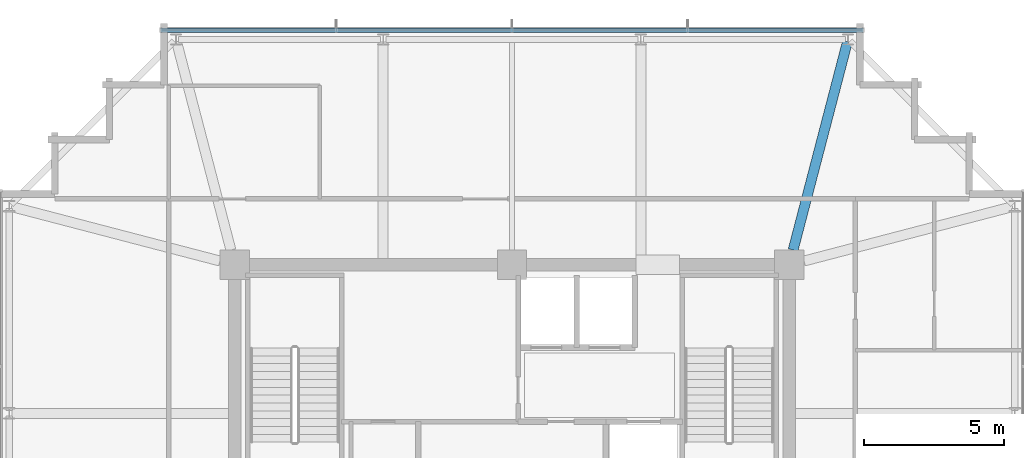
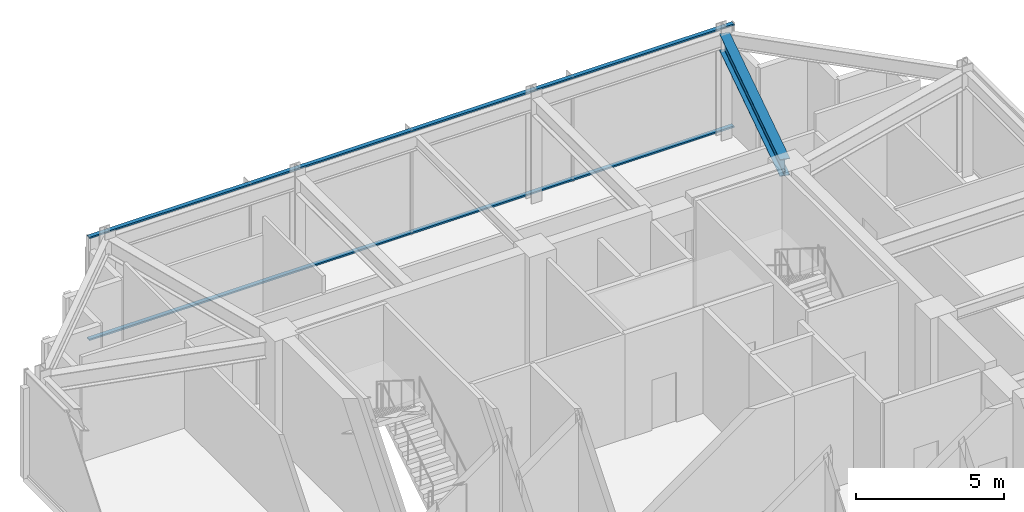
# One storey, part 18 of 30: 2 members, 1 beam, 1 element without a shape of its own.
"""IFC4 building model written with IfcOpenShell, lengths in metres."""

import ifcopenshell
import ifcopenshell.guid

model = None  # the IFC model being written
_history = None  # IfcOwnerHistory: only IFC2X3 demands one
_inside = {}  # id of a spatial element -> (the spatial element, [elements in it])
_under = {}  # id of a project, library or spatial element -> (it, [spatial elements below it])
_declared = {}  # id of a project -> (the project, [libraries it declares])
_typed = {}  # id of a type object -> (the type object, [elements of that type])
_made_of = {}  # id of a material, layer set ... -> (it, [elements and type objects made of it])


def new_model(schema):
    """Start an empty IFC model of exactly this schema.

    Asked for "IFC4X3", IfcOpenShell would pick the latest addendum, in which some entities
    have other attributes; the version numbers below select the first issue.
    IFC2X3 requires an IfcOwnerHistory on every rooted entity: one is made here for all.
    """
    global model, _history
    if schema == "IFC4X3":
        model = ifcopenshell.file(schema_version=(4, 3, 0, 0))
    else:
        model = ifcopenshell.file(schema=schema)
    _inside.clear()
    _under.clear()
    _declared.clear()
    _typed.clear()
    _made_of.clear()
    _history = None
    if model.schema == "IFC2X3":
        org = make("IfcOrganization", Name="unknown")
        user = make(
            "IfcPersonAndOrganization",
            ThePerson=make("IfcPerson", FamilyName="unknown"),
            TheOrganization=org,
        )
        app = make(
            "IfcApplication",
            ApplicationDeveloper=org,
            Version="unknown",
            ApplicationFullName="unknown",
            ApplicationIdentifier="unknown",
        )
        _history = make(
            "IfcOwnerHistory",
            OwningUser=user,
            OwningApplication=app,
            ChangeAction="ADDED",
            CreationDate=0,
        )
    return model


def make(cls, **values):
    """One entity of the class cls with the attributes given. An attribute that is None is left unset."""
    return model.create_entity(
        cls, **{name: value for name, value in values.items() if value is not None}
    )


def rooted(cls, **values):
    """An entity with a GlobalId (a new one), such as an element, a storey or a relation."""
    return make(cls, GlobalId=ifcopenshell.guid.new(), OwnerHistory=_history, **values)


def si_unit(unit_type, name, prefix=None):
    """IfcSIUnit, for example si_unit("LENGTHUNIT", "METRE", prefix="MILLI")."""
    return make("IfcSIUnit", UnitType=unit_type, Prefix=prefix, Name=name)


def assignment(units):
    """IfcUnitAssignment: the units of a project."""
    return None if units is None else make("IfcUnitAssignment", Units=units)


def point(xyz):
    """IfcCartesianPoint."""
    return None if xyz is None else make("IfcCartesianPoint", Coordinates=xyz)


def direction(xyz):
    """IfcDirection."""
    return None if xyz is None else make("IfcDirection", DirectionRatios=xyz)


def frame(location, z_axis=None, x_axis=None):
    """IfcAxis2Placement3D, a coordinate frame: its origin and axes. An axis left out is left unset."""
    return make(
        "IfcAxis2Placement3D",
        Location=point(location),
        Axis=direction(z_axis),
        RefDirection=direction(x_axis),
    )


def frame_2d(location, x_axis=None):
    """IfcAxis2Placement2D, a coordinate frame in the plane: its origin and x axis."""
    return make(
        "IfcAxis2Placement2D", Location=point(location), RefDirection=direction(x_axis)
    )


def origin():
    """The frame at (0, 0, 0) with its axes left unset."""
    return frame((0.0, 0.0, 0.0))


def origin_2d():
    """The frame at (0, 0) in the plane with its x axis left unset."""
    return frame_2d((0.0, 0.0))


def place(relative_to, where):
    """IfcLocalPlacement: puts the frame where relative to a parent placement (None: the world)."""
    return make(
        "IfcLocalPlacement", PlacementRelTo=relative_to, RelativePlacement=where
    )


def context(
    kind, dimensions, precision=None, world=None, true_north=None, identifier=None
):
    """IfcGeometricRepresentationContext, for example the 3D "Model" context."""
    return make(
        "IfcGeometricRepresentationContext",
        ContextIdentifier=identifier,
        ContextType=kind,
        CoordinateSpaceDimension=dimensions,
        Precision=precision,
        WorldCoordinateSystem=world,
        TrueNorth=true_north,
    )


def subcontext(parent, identifier, kind, view, scale=None):
    """IfcGeometricRepresentationSubContext, for example "Body" below "Model"."""
    return make(
        "IfcGeometricRepresentationSubContext",
        ContextIdentifier=identifier,
        ContextType=kind,
        ParentContext=parent,
        TargetScale=scale,
        TargetView=view,
    )


def project(units=None, contexts=None):
    """IfcProject with its units and contexts."""
    return rooted(
        "IfcProject",
        Name="project",
        RepresentationContexts=contexts,
        UnitsInContext=assignment(units),
    )


def spatial(cls, under=None, at=None, **own):
    """A site, building, storey or space (cls), placed at a placement, below another one or the project."""
    s = rooted(cls, ObjectPlacement=at, **own)
    if under is not None:
        _under.setdefault(under.id(), (under, []))[1].append(s)
    return s


def profile(cls, at=None, kind="AREA", **sizes):
    """A parametric profile (cls). Its sizes go by their IFC names, for example OverallWidth=200.0."""
    return make(cls, ProfileType=kind, Position=at, **sizes)


def hollow_rectangle(**sizes):
    """IfcRectangleHollowProfileDef."""
    return profile("IfcRectangleHollowProfileDef", **sizes)


def i_section(**sizes):
    """IfcIShapeProfileDef."""
    return profile("IfcIShapeProfileDef", **sizes)


def extrude(swept, where, along, depth):
    """IfcExtrudedAreaSolid: the profile swept, set in the frame where, extruded along a direction by depth."""
    return make(
        "IfcExtrudedAreaSolid",
        SweptArea=swept,
        Position=where,
        ExtrudedDirection=direction(along),
        Depth=depth,
    )


def shape(context_of_items, identifier, shape_type, items):
    """IfcShapeRepresentation: the items that make up one representation, for example the "Body"."""
    return make(
        "IfcShapeRepresentation",
        ContextOfItems=context_of_items,
        RepresentationIdentifier=identifier,
        RepresentationType=shape_type,
        Items=items,
    )


def material(Name=None, Category=None):
    """IfcMaterial."""
    return make("IfcMaterial", Name=Name, Category=Category)


def material_profile(
    of_material, cross_section, Name=None, Category=None, Priority=None
):
    """IfcMaterialProfile: a cross section and its material."""
    return make(
        "IfcMaterialProfile",
        Name=Name,
        Material=of_material,
        Profile=cross_section,
        Priority=Priority,
        Category=Category,
    )


def profile_set(profiles, Name=None, composite=None):
    """IfcMaterialProfileSet."""
    return make(
        "IfcMaterialProfileSet",
        Name=Name,
        MaterialProfiles=profiles,
        CompositeProfile=composite,
    )


def made_of(thing, what):
    """Note that an element or type object is made of a material, layer set ...; save() writes the relation."""
    if what is not None:
        _made_of.setdefault(what.id(), (what, []))[1].append(thing)
    return thing


def type_object(cls, material=None, **own):
    """A type object (cls), such as IfcWallType, which elements share."""
    return made_of(rooted(cls, **own), material)


def element(
    cls,
    number,
    at=None,
    inside=None,
    cuts=None,
    type_object=None,
    material=None,
    context=None,
    identifier="Body",
    shape_type=None,
    held_by="IfcProductDefinitionShape",
    body=None,
    shapes=None,
    **own,
):
    """One element of the class cls, such as IfcWall. Its Tag is "e" and its number.

    at: its placement. inside: the storey or other place that contains it. cuts: it is an
    opening in that element (IfcRelVoidsElement). A single representation is given by context,
    identifier, shape_type and body (its items); several are given by shapes. held_by: the class
    of the entity that holds the representations. save() writes the other relations.
    """
    e = rooted(cls, Tag="e%d" % number, ObjectPlacement=at, **own)
    if body is not None:
        shapes = [shape(context, identifier, shape_type, body)]
    if shapes is not None:
        e.Representation = make(held_by, Representations=shapes)
    if inside is not None:
        _inside.setdefault(inside.id(), (inside, []))[1].append(e)
    if cuts is not None:
        rooted(
            "IfcRelVoidsElement", RelatingBuildingElement=cuts, RelatedOpeningElement=e
        )
    if type_object is not None:
        _typed.setdefault(type_object.id(), (type_object, []))[1].append(e)
    return made_of(e, material)


def aggregate(whole, parts):
    """IfcRelAggregates: a whole, such as a stair, and the parts it consists of."""
    return rooted("IfcRelAggregates", RelatingObject=whole, RelatedObjects=parts)


def save(model, path):
    """Write the relations noted so far, then the file.

    IfcRelAggregates (storeys below a building ...), IfcRelContainedInSpatialStructure (elements
    in a storey), IfcRelDefinesByType, IfcRelAssociatesMaterial and IfcRelDeclares: one each for
    every whole, place, type object, material and project.
    """
    for whole, parts in _under.values():
        aggregate(whole, parts)
    for where, things in _inside.values():
        rooted(
            "IfcRelContainedInSpatialStructure",
            RelatedElements=things,
            RelatingStructure=where,
        )
    for kind, things in _typed.values():
        rooted("IfcRelDefinesByType", RelatedObjects=things, RelatingType=kind)
    for what, things in _made_of.values():
        rooted("IfcRelAssociatesMaterial", RelatedObjects=things, RelatingMaterial=what)
    for by, libraries in _declared.values():
        rooted("IfcRelDeclares", RelatingContext=by, RelatedDefinitions=libraries)
    model.write(path)


model = new_model("IFC4")

# Units and contexts
model_context = context("Model", 3, precision=1e-05, world=origin(), true_north=direction((0.0, 1.0)))
body_context = subcontext(model_context, "Body", "Model", "MODEL_VIEW")
ifc_project = project(units=[si_unit("LENGTHUNIT", "METRE"), si_unit("AREAUNIT", "SQUARE_METRE"), si_unit("VOLUMEUNIT", "CUBIC_METRE"), si_unit("PLANEANGLEUNIT", "RADIAN"), si_unit("MASSUNIT", "GRAM", prefix="KILO")], contexts=[model_context])

# Site, building, storey
site_placement = place(None, origin())
site = spatial("IfcSite", under=ifc_project, at=site_placement, CompositionType="ELEMENT")
building_placement = place(site_placement, origin())
building = spatial("IfcBuilding", under=site, at=building_placement, Name="Kolvaren Belvedere", CompositionType="ELEMENT")
storey_placement = place(building_placement, frame((0.0, 0.0, 262.800048828125)))
storey = spatial("IfcBuildingStorey", under=building, at=storey_placement, Name="L76", CompositionType="ELEMENT", Elevation=262.800048828125)

# Beam
ifc_material_1 = material(Name="Structural steel ASTM A992 Grade 50", Category="steel")
ifc_material_profile_1 = material_profile(ifc_material_1, i_section(OverallWidth=0.35498046875, OverallDepth=0.696044921875, WebThickness=0.015380859375, FlangeThickness=0.02490234375, FilletRadius=0.02197265625, at=origin_2d()), Name="W27X146")
ifc_profile_set_1 = profile_set([ifc_material_profile_1], Name="Structural steel ASTM A992 Grade 50")
beam_type = type_object("IfcBeamType", Name="BM-GIRD-W27X146", PredefinedType="BEAM", material=ifc_profile_set_1)
beam_placement = place(storey_placement, frame((10.038818359375, 10.43212890625, 3.971923828125), z_axis=(0.252430946281, 0.967614911708, 0.0), x_axis=(-0.967614911708, 0.252430946281, 0.0)))
element("IfcBeam", 1, at=beam_placement, inside=storey, type_object=beam_type, Name="L76 Corner Core-to-Perimeter Girder CC3-N4", PredefinedType="BEAM", context=body_context, shape_type="SweptSolid", body=[
    extrude(i_section(OverallWidth=0.35498046875, OverallDepth=0.696044921875, WebThickness=0.015380859375, FlangeThickness=0.02490234375, FilletRadius=0.02197265625, at=origin_2d()), origin(), (0.0, 0.0, 1.0), 7.68798828125),
])

# Curtain wall, members
ifc_material_2 = material(Name="Anodised pale-metal aluminium AA 6063-T6", Category="aluminium")
curtain_wall_type = type_object("IfcCurtainWallType", Name="CW-CRN-OBS", PredefinedType="NOTDEFINED", material=ifc_material_2)
curtain_wall_placement = place(storey_placement, origin())
curtain_wall = element("IfcCurtainWall", 2, at=curtain_wall_placement, inside=storey, type_object=curtain_wall_type, Name="L76 Unitised Curtain Wall FCW-L76-N", PredefinedType="NOTDEFINED")
ifc_material_3 = material(Name="Anodised pale-metal aluminium AA 6063-T6", Category="aluminium")
ifc_material_profile_2 = material_profile(ifc_material_3, hollow_rectangle(XDim=0.06494140625, YDim=0.159912109375, WallThickness=0.00390625, at=origin_2d()), Name="ALU-TRN-160X65")
ifc_profile_set_2 = profile_set([ifc_material_profile_2], Name="Anodised pale-metal aluminium AA 6063-T6")
member_type = type_object("IfcMemberType", Name="CW-TRN-160", PredefinedType="USERDEFINED", material=ifc_profile_set_2)
member_1_placement = place(storey_placement, frame((-12.550048828125, 18.280029296875, 0.06005859375), z_axis=(1.0, 0.0, 0.0), x_axis=(0.0, 0.0, 1.0)))
member_1 = element("IfcMember", 3, at=member_1_placement, type_object=member_type, Name="FCW-L76-N Sill Transom", ObjectType="TRANSOM", PredefinedType="USERDEFINED", context=body_context, shape_type="SweptSolid", body=[
    extrude(hollow_rectangle(XDim=0.06494140625, YDim=0.159912109375, WallThickness=0.00390625, at=origin_2d()), origin(), (0.0, 0.0, 1.0), 25.10009765625),
])
member_2_placement = place(storey_placement, frame((-12.550048828125, 18.280029296875, 4.260009765625), z_axis=(1.0, 0.0, 0.0), x_axis=(0.0, 0.0, 1.0)))
member_2 = element("IfcMember", 4, at=member_2_placement, type_object=member_type, Name="FCW-L76-N Head Transom", ObjectType="TRANSOM", PredefinedType="USERDEFINED", context=body_context, shape_type="SweptSolid", body=[
    extrude(hollow_rectangle(XDim=0.06494140625, YDim=0.159912109375, WallThickness=0.00390625, at=origin_2d()), origin(), (0.0, 0.0, 1.0), 25.10009765625),
])
aggregate(curtain_wall, [member_1, member_2])

save(model, "model.ifc")
